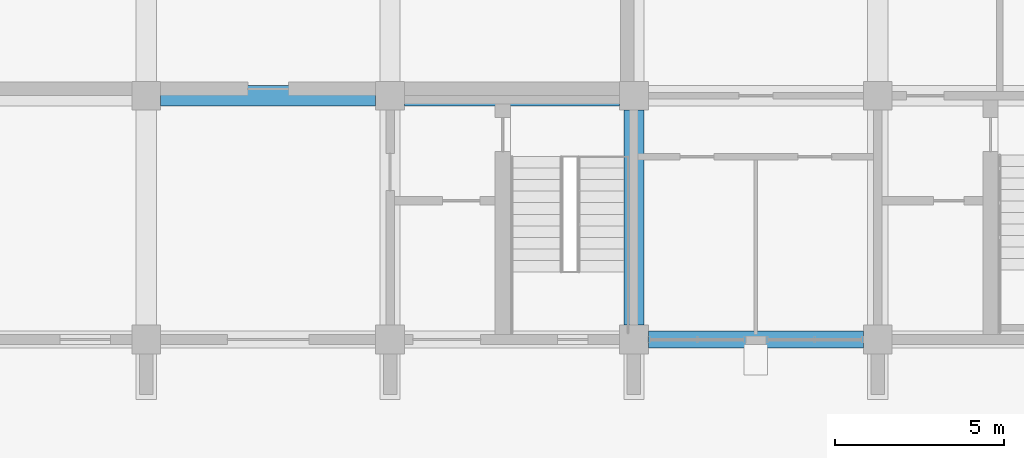
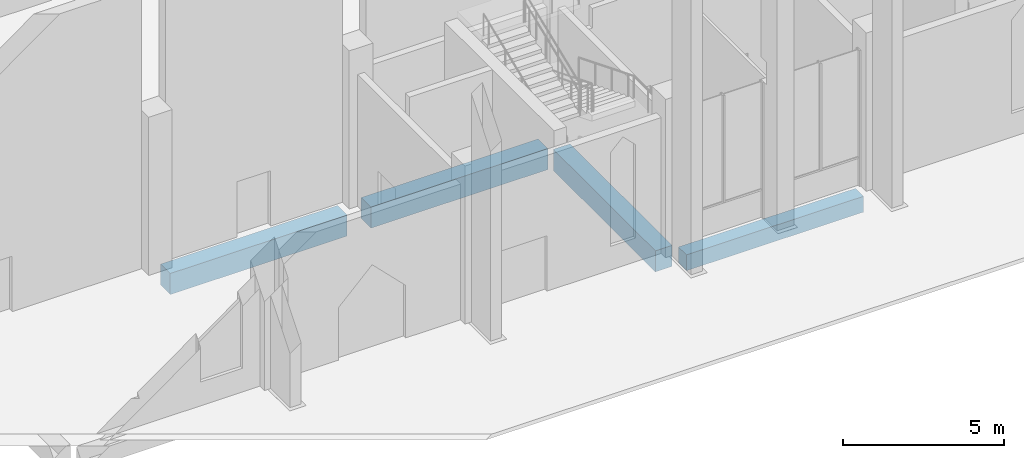
# One storey, part 15 of 50: 4 beams.
"""IFC4 building model written with IfcOpenShell, lengths in metres."""

import ifcopenshell
import ifcopenshell.guid

model = None  # the IFC model being written
_history = None  # IfcOwnerHistory: only IFC2X3 demands one
_inside = {}  # id of a spatial element -> (the spatial element, [elements in it])
_under = {}  # id of a project, library or spatial element -> (it, [spatial elements below it])
_declared = {}  # id of a project -> (the project, [libraries it declares])
_typed = {}  # id of a type object -> (the type object, [elements of that type])
_made_of = {}  # id of a material, layer set ... -> (it, [elements and type objects made of it])


def new_model(schema):
    """Start an empty IFC model of exactly this schema.

    Asked for "IFC4X3", IfcOpenShell would pick the latest addendum, in which some entities
    have other attributes; the version numbers below select the first issue.
    IFC2X3 requires an IfcOwnerHistory on every rooted entity: one is made here for all.
    """
    global model, _history
    if schema == "IFC4X3":
        model = ifcopenshell.file(schema_version=(4, 3, 0, 0))
    else:
        model = ifcopenshell.file(schema=schema)
    _inside.clear()
    _under.clear()
    _declared.clear()
    _typed.clear()
    _made_of.clear()
    _history = None
    if model.schema == "IFC2X3":
        org = make("IfcOrganization", Name="unknown")
        user = make(
            "IfcPersonAndOrganization",
            ThePerson=make("IfcPerson", FamilyName="unknown"),
            TheOrganization=org,
        )
        app = make(
            "IfcApplication",
            ApplicationDeveloper=org,
            Version="unknown",
            ApplicationFullName="unknown",
            ApplicationIdentifier="unknown",
        )
        _history = make(
            "IfcOwnerHistory",
            OwningUser=user,
            OwningApplication=app,
            ChangeAction="ADDED",
            CreationDate=0,
        )
    return model


def make(cls, **values):
    """One entity of the class cls with the attributes given. An attribute that is None is left unset."""
    return model.create_entity(
        cls, **{name: value for name, value in values.items() if value is not None}
    )


def rooted(cls, **values):
    """An entity with a GlobalId (a new one), such as an element, a storey or a relation."""
    return make(cls, GlobalId=ifcopenshell.guid.new(), OwnerHistory=_history, **values)


def si_unit(unit_type, name, prefix=None):
    """IfcSIUnit, for example si_unit("LENGTHUNIT", "METRE", prefix="MILLI")."""
    return make("IfcSIUnit", UnitType=unit_type, Prefix=prefix, Name=name)


def assignment(units):
    """IfcUnitAssignment: the units of a project."""
    return None if units is None else make("IfcUnitAssignment", Units=units)


def point(xyz):
    """IfcCartesianPoint."""
    return None if xyz is None else make("IfcCartesianPoint", Coordinates=xyz)


def direction(xyz):
    """IfcDirection."""
    return None if xyz is None else make("IfcDirection", DirectionRatios=xyz)


def frame(location, z_axis=None, x_axis=None):
    """IfcAxis2Placement3D, a coordinate frame: its origin and axes. An axis left out is left unset."""
    return make(
        "IfcAxis2Placement3D",
        Location=point(location),
        Axis=direction(z_axis),
        RefDirection=direction(x_axis),
    )


def frame_2d(location, x_axis=None):
    """IfcAxis2Placement2D, a coordinate frame in the plane: its origin and x axis."""
    return make(
        "IfcAxis2Placement2D", Location=point(location), RefDirection=direction(x_axis)
    )


def origin():
    """The frame at (0, 0, 0) with its axes left unset."""
    return frame((0.0, 0.0, 0.0))


def origin_2d():
    """The frame at (0, 0) in the plane with its x axis left unset."""
    return frame_2d((0.0, 0.0))


def place(relative_to, where):
    """IfcLocalPlacement: puts the frame where relative to a parent placement (None: the world)."""
    return make(
        "IfcLocalPlacement", PlacementRelTo=relative_to, RelativePlacement=where
    )


def context(
    kind, dimensions, precision=None, world=None, true_north=None, identifier=None
):
    """IfcGeometricRepresentationContext, for example the 3D "Model" context."""
    return make(
        "IfcGeometricRepresentationContext",
        ContextIdentifier=identifier,
        ContextType=kind,
        CoordinateSpaceDimension=dimensions,
        Precision=precision,
        WorldCoordinateSystem=world,
        TrueNorth=true_north,
    )


def subcontext(parent, identifier, kind, view, scale=None):
    """IfcGeometricRepresentationSubContext, for example "Body" below "Model"."""
    return make(
        "IfcGeometricRepresentationSubContext",
        ContextIdentifier=identifier,
        ContextType=kind,
        ParentContext=parent,
        TargetScale=scale,
        TargetView=view,
    )


def project(units=None, contexts=None):
    """IfcProject with its units and contexts."""
    return rooted(
        "IfcProject",
        Name="project",
        RepresentationContexts=contexts,
        UnitsInContext=assignment(units),
    )


def spatial(cls, under=None, at=None, **own):
    """A site, building, storey or space (cls), placed at a placement, below another one or the project."""
    s = rooted(cls, ObjectPlacement=at, **own)
    if under is not None:
        _under.setdefault(under.id(), (under, []))[1].append(s)
    return s


def profile(cls, at=None, kind="AREA", **sizes):
    """A parametric profile (cls). Its sizes go by their IFC names, for example OverallWidth=200.0."""
    return make(cls, ProfileType=kind, Position=at, **sizes)


def rectangle(**sizes):
    """IfcRectangleProfileDef."""
    return profile("IfcRectangleProfileDef", **sizes)


def extrude(swept, where, along, depth):
    """IfcExtrudedAreaSolid: the profile swept, set in the frame where, extruded along a direction by depth."""
    return make(
        "IfcExtrudedAreaSolid",
        SweptArea=swept,
        Position=where,
        ExtrudedDirection=direction(along),
        Depth=depth,
    )


def shape(context_of_items, identifier, shape_type, items):
    """IfcShapeRepresentation: the items that make up one representation, for example the "Body"."""
    return make(
        "IfcShapeRepresentation",
        ContextOfItems=context_of_items,
        RepresentationIdentifier=identifier,
        RepresentationType=shape_type,
        Items=items,
    )


def material(Name=None, Category=None):
    """IfcMaterial."""
    return make("IfcMaterial", Name=Name, Category=Category)


def material_profile(
    of_material, cross_section, Name=None, Category=None, Priority=None
):
    """IfcMaterialProfile: a cross section and its material."""
    return make(
        "IfcMaterialProfile",
        Name=Name,
        Material=of_material,
        Profile=cross_section,
        Priority=Priority,
        Category=Category,
    )


def profile_set(profiles, Name=None, composite=None):
    """IfcMaterialProfileSet."""
    return make(
        "IfcMaterialProfileSet",
        Name=Name,
        MaterialProfiles=profiles,
        CompositeProfile=composite,
    )


def made_of(thing, what):
    """Note that an element or type object is made of a material, layer set ...; save() writes the relation."""
    if what is not None:
        _made_of.setdefault(what.id(), (what, []))[1].append(thing)
    return thing


def type_object(cls, material=None, **own):
    """A type object (cls), such as IfcWallType, which elements share."""
    return made_of(rooted(cls, **own), material)


def element(
    cls,
    number,
    at=None,
    inside=None,
    cuts=None,
    type_object=None,
    material=None,
    context=None,
    identifier="Body",
    shape_type=None,
    held_by="IfcProductDefinitionShape",
    body=None,
    shapes=None,
    **own,
):
    """One element of the class cls, such as IfcWall. Its Tag is "e" and its number.

    at: its placement. inside: the storey or other place that contains it. cuts: it is an
    opening in that element (IfcRelVoidsElement). A single representation is given by context,
    identifier, shape_type and body (its items); several are given by shapes. held_by: the class
    of the entity that holds the representations. save() writes the other relations.
    """
    e = rooted(cls, Tag="e%d" % number, ObjectPlacement=at, **own)
    if body is not None:
        shapes = [shape(context, identifier, shape_type, body)]
    if shapes is not None:
        e.Representation = make(held_by, Representations=shapes)
    if inside is not None:
        _inside.setdefault(inside.id(), (inside, []))[1].append(e)
    if cuts is not None:
        rooted(
            "IfcRelVoidsElement", RelatingBuildingElement=cuts, RelatedOpeningElement=e
        )
    if type_object is not None:
        _typed.setdefault(type_object.id(), (type_object, []))[1].append(e)
    return made_of(e, material)


def aggregate(whole, parts):
    """IfcRelAggregates: a whole, such as a stair, and the parts it consists of."""
    return rooted("IfcRelAggregates", RelatingObject=whole, RelatedObjects=parts)


def save(model, path):
    """Write the relations noted so far, then the file.

    IfcRelAggregates (storeys below a building ...), IfcRelContainedInSpatialStructure (elements
    in a storey), IfcRelDefinesByType, IfcRelAssociatesMaterial and IfcRelDeclares: one each for
    every whole, place, type object, material and project.
    """
    for whole, parts in _under.values():
        aggregate(whole, parts)
    for where, things in _inside.values():
        rooted(
            "IfcRelContainedInSpatialStructure",
            RelatedElements=things,
            RelatingStructure=where,
        )
    for kind, things in _typed.values():
        rooted("IfcRelDefinesByType", RelatedObjects=things, RelatingType=kind)
    for what, things in _made_of.values():
        rooted("IfcRelAssociatesMaterial", RelatedObjects=things, RelatingMaterial=what)
    for by, libraries in _declared.values():
        rooted("IfcRelDeclares", RelatingContext=by, RelatedDefinitions=libraries)
    model.write(path)


model = new_model("IFC4")

# Units and contexts
model_context = context("Model", 3, precision=1e-05, world=origin(), true_north=direction((0.0, 1.0)))
body_context = subcontext(model_context, "Body", "Model", "MODEL_VIEW")
ifc_project = project(units=[si_unit("LENGTHUNIT", "METRE"), si_unit("AREAUNIT", "SQUARE_METRE"), si_unit("VOLUMEUNIT", "CUBIC_METRE"), si_unit("PLANEANGLEUNIT", "RADIAN"), si_unit("MASSUNIT", "GRAM", prefix="KILO")], contexts=[model_context])

# Site, building, storey
site_placement = place(None, origin())
site = spatial("IfcSite", under=ifc_project, at=site_placement, CompositionType="ELEMENT")
building_placement = place(site_placement, origin())
building = spatial("IfcBuilding", under=site, at=building_placement, Name="Silangan Lancet Faculty of Sciences", CompositionType="ELEMENT")
storey_placement = place(building_placement, origin())
storey = spatial("IfcBuildingStorey", under=building, at=storey_placement, Name="L00", CompositionType="ELEMENT", Elevation=0.0)

# Beams
ifc_material_1 = material(Name="Concrete C40/50", Category="concrete")
ifc_material_profile_1 = material_profile(ifc_material_1, rectangle(XDim=0.5, YDim=0.60009765625, at=origin_2d()), Name="RC 500x600")
ifc_profile_set_1 = profile_set([ifc_material_profile_1], Name="Concrete C40/50")
beam_type_1 = type_object("IfcBeamType", Name="BEAM RC 500x600", PredefinedType="BEAM", material=ifc_profile_set_1)
beam_1_placement = place(storey_placement, frame((72.425048828125, 0.0, -0.60009765625), z_axis=(1.0, 0.0, 0.0), x_axis=(0.0, 1.0, 0.0)))
element("IfcBeam", 1, at=beam_1_placement, inside=storey, type_object=beam_type_1, Name="BM-L00-11A-12A", PredefinedType="BEAM", context=body_context, shape_type="SweptSolid", body=[
    extrude(rectangle(XDim=0.5, YDim=0.60009765625, at=origin_2d()), origin(), (0.0, 0.0, 1.0), 6.349853515625),
])
ifc_material_2 = material(Name="Concrete C40/50", Category="concrete")
ifc_material_profile_2 = material_profile(ifc_material_2, rectangle(XDim=0.60009765625, YDim=0.800048828125, at=origin_2d()), Name="RC 600x800")
ifc_profile_set_2 = profile_set([ifc_material_profile_2], Name="Concrete C40/50")
beam_type_2 = type_object("IfcBeamType", Name="BEAM RC 600x800", PredefinedType="BEAM", material=ifc_profile_set_2)
beam_2_placement = place(storey_placement, frame((58.02490234375, 7.199951171875, -0.699951171875), z_axis=(1.0, 0.0, 0.0), x_axis=(0.0, 1.0, 0.0)))
element("IfcBeam", 2, at=beam_2_placement, inside=storey, type_object=beam_type_2, Name="BM-L00-9B-10B", PredefinedType="BEAM", context=body_context, shape_type="SweptSolid", body=[
    extrude(rectangle(XDim=0.60009765625, YDim=0.800048828125, at=origin_2d()), origin(), (0.0, 0.0, 1.0), 6.35009765625),
])
for number, where, z_axis, x_axis, name in (
    (3, (65.22509765625, 7.199951171875, -0.699951171875), (1.0, 0.0, 0.0), (0.0, 1.0, 0.0), "BM-L00-10B-11B"),
    (4, (72.0, 0.425048828125, -0.699951171875), (0.0, 1.0, 0.0), (-1.0, 0.0, 0.0), "BM-L00-11A-11B"),
):
    element("IfcBeam", number, at=place(storey_placement, frame(where, z_axis=z_axis, x_axis=x_axis)), inside=storey, type_object=beam_type_2, Name=name, PredefinedType="BEAM", context=body_context, shape_type="SweptSolid", body=[
        extrude(rectangle(XDim=0.60009765625, YDim=0.800048828125, at=origin_2d()), origin(), (0.0, 0.0, 1.0), 6.349853515625),
    ])

save(model, "model.ifc")
